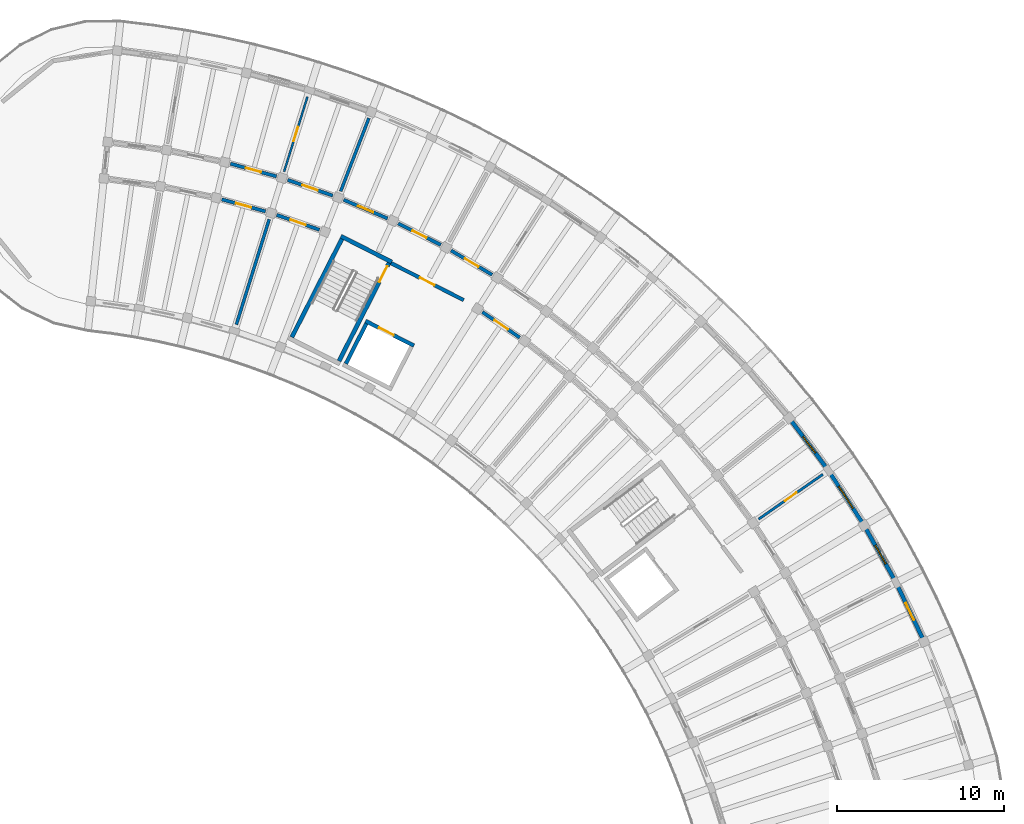
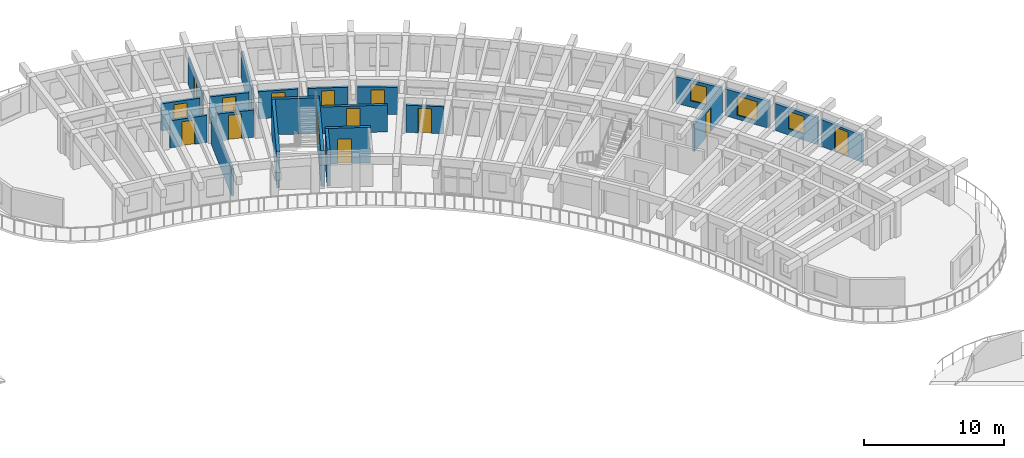
# One storey, part 58 of 81: 22 walls, 14 doors, 3 windows, 17 openings.
"""IFC4 building model written with IfcOpenShell, lengths in metres."""

import ifcopenshell
import ifcopenshell.guid

model = None  # the IFC model being written
_history = None  # IfcOwnerHistory: only IFC2X3 demands one
_inside = {}  # id of a spatial element -> (the spatial element, [elements in it])
_under = {}  # id of a project, library or spatial element -> (it, [spatial elements below it])
_declared = {}  # id of a project -> (the project, [libraries it declares])
_typed = {}  # id of a type object -> (the type object, [elements of that type])
_made_of = {}  # id of a material, layer set ... -> (it, [elements and type objects made of it])


def new_model(schema):
    """Start an empty IFC model of exactly this schema.

    Asked for "IFC4X3", IfcOpenShell would pick the latest addendum, in which some entities
    have other attributes; the version numbers below select the first issue.
    IFC2X3 requires an IfcOwnerHistory on every rooted entity: one is made here for all.
    """
    global model, _history
    if schema == "IFC4X3":
        model = ifcopenshell.file(schema_version=(4, 3, 0, 0))
    else:
        model = ifcopenshell.file(schema=schema)
    _inside.clear()
    _under.clear()
    _declared.clear()
    _typed.clear()
    _made_of.clear()
    _history = None
    if model.schema == "IFC2X3":
        org = make("IfcOrganization", Name="unknown")
        user = make(
            "IfcPersonAndOrganization",
            ThePerson=make("IfcPerson", FamilyName="unknown"),
            TheOrganization=org,
        )
        app = make(
            "IfcApplication",
            ApplicationDeveloper=org,
            Version="unknown",
            ApplicationFullName="unknown",
            ApplicationIdentifier="unknown",
        )
        _history = make(
            "IfcOwnerHistory",
            OwningUser=user,
            OwningApplication=app,
            ChangeAction="ADDED",
            CreationDate=0,
        )
    return model


def make(cls, **values):
    """One entity of the class cls with the attributes given. An attribute that is None is left unset."""
    return model.create_entity(
        cls, **{name: value for name, value in values.items() if value is not None}
    )


def rooted(cls, **values):
    """An entity with a GlobalId (a new one), such as an element, a storey or a relation."""
    return make(cls, GlobalId=ifcopenshell.guid.new(), OwnerHistory=_history, **values)


def si_unit(unit_type, name, prefix=None):
    """IfcSIUnit, for example si_unit("LENGTHUNIT", "METRE", prefix="MILLI")."""
    return make("IfcSIUnit", UnitType=unit_type, Prefix=prefix, Name=name)


def assignment(units):
    """IfcUnitAssignment: the units of a project."""
    return None if units is None else make("IfcUnitAssignment", Units=units)


def point(xyz):
    """IfcCartesianPoint."""
    return None if xyz is None else make("IfcCartesianPoint", Coordinates=xyz)


def direction(xyz):
    """IfcDirection."""
    return None if xyz is None else make("IfcDirection", DirectionRatios=xyz)


def frame(location, z_axis=None, x_axis=None):
    """IfcAxis2Placement3D, a coordinate frame: its origin and axes. An axis left out is left unset."""
    return make(
        "IfcAxis2Placement3D",
        Location=point(location),
        Axis=direction(z_axis),
        RefDirection=direction(x_axis),
    )


def frame_2d(location, x_axis=None):
    """IfcAxis2Placement2D, a coordinate frame in the plane: its origin and x axis."""
    return make(
        "IfcAxis2Placement2D", Location=point(location), RefDirection=direction(x_axis)
    )


def origin():
    """The frame at (0, 0, 0) with its axes left unset."""
    return frame((0.0, 0.0, 0.0))


def place(relative_to, where):
    """IfcLocalPlacement: puts the frame where relative to a parent placement (None: the world)."""
    return make(
        "IfcLocalPlacement", PlacementRelTo=relative_to, RelativePlacement=where
    )


def context(
    kind, dimensions, precision=None, world=None, true_north=None, identifier=None
):
    """IfcGeometricRepresentationContext, for example the 3D "Model" context."""
    return make(
        "IfcGeometricRepresentationContext",
        ContextIdentifier=identifier,
        ContextType=kind,
        CoordinateSpaceDimension=dimensions,
        Precision=precision,
        WorldCoordinateSystem=world,
        TrueNorth=true_north,
    )


def subcontext(parent, identifier, kind, view, scale=None):
    """IfcGeometricRepresentationSubContext, for example "Body" below "Model"."""
    return make(
        "IfcGeometricRepresentationSubContext",
        ContextIdentifier=identifier,
        ContextType=kind,
        ParentContext=parent,
        TargetScale=scale,
        TargetView=view,
    )


def project(units=None, contexts=None):
    """IfcProject with its units and contexts."""
    return rooted(
        "IfcProject",
        Name="project",
        RepresentationContexts=contexts,
        UnitsInContext=assignment(units),
    )


def spatial(cls, under=None, at=None, **own):
    """A site, building, storey or space (cls), placed at a placement, below another one or the project."""
    s = rooted(cls, ObjectPlacement=at, **own)
    if under is not None:
        _under.setdefault(under.id(), (under, []))[1].append(s)
    return s


def profile(cls, at=None, kind="AREA", **sizes):
    """A parametric profile (cls). Its sizes go by their IFC names, for example OverallWidth=200.0."""
    return make(cls, ProfileType=kind, Position=at, **sizes)


def rectangle(**sizes):
    """IfcRectangleProfileDef."""
    return profile("IfcRectangleProfileDef", **sizes)


def extrude(swept, where, along, depth):
    """IfcExtrudedAreaSolid: the profile swept, set in the frame where, extruded along a direction by depth."""
    return make(
        "IfcExtrudedAreaSolid",
        SweptArea=swept,
        Position=where,
        ExtrudedDirection=direction(along),
        Depth=depth,
    )


def shape(context_of_items, identifier, shape_type, items):
    """IfcShapeRepresentation: the items that make up one representation, for example the "Body"."""
    return make(
        "IfcShapeRepresentation",
        ContextOfItems=context_of_items,
        RepresentationIdentifier=identifier,
        RepresentationType=shape_type,
        Items=items,
    )


def material(Name=None, Category=None):
    """IfcMaterial."""
    return make("IfcMaterial", Name=Name, Category=Category)


def layer(
    of_material, thickness, ventilated=None, Name=None, Category=None, Priority=None
):
    """IfcMaterialLayer: one layer of a wall or slab, of a material (None: an air gap)."""
    return make(
        "IfcMaterialLayer",
        Material=of_material,
        LayerThickness=thickness,
        IsVentilated=ventilated,
        Name=Name,
        Category=Category,
        Priority=Priority,
    )


def layer_set(layers, Name=None):
    """IfcMaterialLayerSet."""
    return make("IfcMaterialLayerSet", MaterialLayers=layers, LayerSetName=Name)


def made_of(thing, what):
    """Note that an element or type object is made of a material, layer set ...; save() writes the relation."""
    if what is not None:
        _made_of.setdefault(what.id(), (what, []))[1].append(thing)
    return thing


def type_object(cls, material=None, **own):
    """A type object (cls), such as IfcWallType, which elements share."""
    return made_of(rooted(cls, **own), material)


def element(
    cls,
    number,
    at=None,
    inside=None,
    cuts=None,
    type_object=None,
    material=None,
    context=None,
    identifier="Body",
    shape_type=None,
    held_by="IfcProductDefinitionShape",
    body=None,
    shapes=None,
    **own,
):
    """One element of the class cls, such as IfcWall. Its Tag is "e" and its number.

    at: its placement. inside: the storey or other place that contains it. cuts: it is an
    opening in that element (IfcRelVoidsElement). A single representation is given by context,
    identifier, shape_type and body (its items); several are given by shapes. held_by: the class
    of the entity that holds the representations. save() writes the other relations.
    """
    e = rooted(cls, Tag="e%d" % number, ObjectPlacement=at, **own)
    if body is not None:
        shapes = [shape(context, identifier, shape_type, body)]
    if shapes is not None:
        e.Representation = make(held_by, Representations=shapes)
    if inside is not None:
        _inside.setdefault(inside.id(), (inside, []))[1].append(e)
    if cuts is not None:
        rooted(
            "IfcRelVoidsElement", RelatingBuildingElement=cuts, RelatedOpeningElement=e
        )
    if type_object is not None:
        _typed.setdefault(type_object.id(), (type_object, []))[1].append(e)
    return made_of(e, material)


def fill(opening, filler):
    """IfcRelFillsElement: the door or window that sits in an opening."""
    return rooted(
        "IfcRelFillsElement",
        RelatingOpeningElement=opening,
        RelatedBuildingElement=filler,
    )


def aggregate(whole, parts):
    """IfcRelAggregates: a whole, such as a stair, and the parts it consists of."""
    return rooted("IfcRelAggregates", RelatingObject=whole, RelatedObjects=parts)


def save(model, path):
    """Write the relations noted so far, then the file.

    IfcRelAggregates (storeys below a building ...), IfcRelContainedInSpatialStructure (elements
    in a storey), IfcRelDefinesByType, IfcRelAssociatesMaterial and IfcRelDeclares: one each for
    every whole, place, type object, material and project.
    """
    for whole, parts in _under.values():
        aggregate(whole, parts)
    for where, things in _inside.values():
        rooted(
            "IfcRelContainedInSpatialStructure",
            RelatedElements=things,
            RelatingStructure=where,
        )
    for kind, things in _typed.values():
        rooted("IfcRelDefinesByType", RelatedObjects=things, RelatingType=kind)
    for what, things in _made_of.values():
        rooted("IfcRelAssociatesMaterial", RelatedObjects=things, RelatingMaterial=what)
    for by, libraries in _declared.values():
        rooted("IfcRelDeclares", RelatingContext=by, RelatedDefinitions=libraries)
    model.write(path)


model = new_model("IFC4")

# Units and contexts
model_context = context("Model", 3, precision=1e-05, world=origin(), true_north=direction((0.0, 1.0)))
body_context = subcontext(model_context, "Body", "Model", "MODEL_VIEW")
ifc_project = project(units=[si_unit("LENGTHUNIT", "METRE"), si_unit("AREAUNIT", "SQUARE_METRE"), si_unit("VOLUMEUNIT", "CUBIC_METRE"), si_unit("PLANEANGLEUNIT", "RADIAN"), si_unit("MASSUNIT", "GRAM", prefix="KILO")], contexts=[model_context])

# Site, building, storey
site_placement = place(None, origin())
site = spatial("IfcSite", under=ifc_project, at=site_placement, CompositionType="ELEMENT")
building_placement = place(site_placement, origin())
building = spatial("IfcBuilding", under=site, at=building_placement, Name="Tanwirah Colonnade Gardens", CompositionType="ELEMENT")
storey_placement = place(building_placement, frame((0.0, 0.0, 8.840087890625)))
storey = spatial("IfcBuildingStorey", under=building, at=storey_placement, Name="L02", CompositionType="ELEMENT", Elevation=8.840087890625)

# Wall, opening, door
ifc_material_1 = material(Name="Limestone architectural precast concrete C40/50", Category="masonry")
ifc_layer_1 = layer(ifc_material_1, 0.239990234375)
ifc_layer_set_1 = layer_set([ifc_layer_1], Name="Limestone architectural precast concrete C40/50")
wall_type_1 = type_object("IfcWallType", Name="EW-PC240", PredefinedType="SOLIDWALL", material=ifc_layer_set_1)
wall_1_placement = place(storey_placement, frame((175.482666015625, 84.2197265625, 0.0), z_axis=(0.0, 0.0, 1.0), x_axis=(-0.429653621352, 0.902993779413, 0.0)))
wall_1 = element("IfcWall", 1, at=wall_1_placement, inside=storey, type_object=wall_type_1, Name="Block B L02 OUT Precast Facade Wall 2", PredefinedType="SOLIDWALL", context=body_context, shape_type="SweptSolid", body=[
    extrude(rectangle(XDim=3.520751953125, YDim=0.239990234375, at=frame_2d((1.76025390625, 0.0))), origin(), (0.0, 0.0, 1.0), 2.35498046875),
])
opening_1_placement = place(wall_1_placement, frame((1.1904296875, 0.0, 0.0)))
opening_1 = element("IfcOpeningElement", 2, at=opening_1_placement, cuts=wall_1, Name="Opening L02-ED075", PredefinedType="OPENING", context=body_context, shape_type="SweptSolid", body=[
    extrude(rectangle(XDim=1.139892578125, YDim=2.159912109375, at=frame_2d((0.56982421875, 1.080078125))), frame((0.0, 0.1298828125, 0.0), z_axis=(0.0, -1.0, 0.0), x_axis=(1.0, 0.0, 0.0)), (0.0, 0.0, 1.0), 0.260009765625),
])
ifc_material_2 = material(Name="Bronze aluminium glazed balcony door", Category="aluminium")
door_type_1 = type_object("IfcDoorType", Name="ED-BAL114", OperationType="NOTDEFINED", PredefinedType="DOOR", material=ifc_material_2)
door_1_placement = place(opening_1_placement, origin())
door_1 = element("IfcDoor", 3, at=door_1_placement, inside=storey, type_object=door_type_1, Name="Balcony glazed door L02-ED075", OperationType="SINGLE_SWING_LEFT", OverallHeight=2.159912109375, OverallWidth=1.139892578125, PredefinedType="DOOR", context=body_context, shape_type="SweptSolid", body=[
    extrude(rectangle(XDim=1.139892578125, YDim=2.159912109375, at=frame_2d((0.56982421875, 1.080078125))), frame((0.0, 0.02490234375, 0.0), z_axis=(0.0, -1.0, 0.0), x_axis=(1.0, 0.0, 0.0)), (0.0, 0.0, 1.0), 0.050048828125),
])
fill(opening_1, door_1)

# Wall, opening, window
wall_2_placement = place(storey_placement, frame((173.8232421875, 87.68310546875, 0.0), z_axis=(0.0, 0.0, 1.0), x_axis=(-0.488254917997, 0.872701057093, 0.0)))
wall_2 = element("IfcWall", 4, at=wall_2_placement, inside=storey, type_object=wall_type_1, Name="Block B L02 OUT Precast Facade Wall 3", PredefinedType="SOLIDWALL", context=body_context, shape_type="SweptSolid", body=[
    extrude(rectangle(XDim=3.520751953125, YDim=0.239990234375, at=frame_2d((1.76025390625, 0.0))), origin(), (0.0, 0.0, 1.0), 2.35498046875),
])
opening_2_placement = place(wall_2_placement, frame((1.120361328125, 0.0, 0.550048828125)))
opening_2 = element("IfcOpeningElement", 5, at=opening_2_placement, cuts=wall_2, Name="Opening WIN-T17", PredefinedType="OPENING", context=body_context, shape_type="SweptSolid", body=[
    extrude(rectangle(XDim=1.280029296875, YDim=1.52001953125, at=frame_2d((0.64013671875, 0.760009765625))), frame((0.0, 0.1298828125, 0.0), z_axis=(0.0, -1.0, 0.0), x_axis=(1.0, 0.0, 0.0)), (0.0, 0.0, 1.0), 0.260009765625),
])
ifc_material_3 = material(Name="Thermally broken bronze aluminium and solar low-E double glazing", Category="aluminium")
window_type_1 = type_object("IfcWindowType", Name="WIN-T17", PartitioningType="SINGLE_PANEL", PredefinedType="WINDOW", material=ifc_material_3)
window_1_placement = place(opening_2_placement, origin())
window_1 = element("IfcWindow", 6, at=window_1_placement, inside=storey, type_object=window_type_1, Name="Facade window B-L02-OUT-03", OverallHeight=1.52001953125, OverallWidth=1.280029296875, PartitioningType="SINGLE_PANEL", PredefinedType="WINDOW", context=body_context, shape_type="SweptSolid", body=[
    extrude(rectangle(XDim=1.280029296875, YDim=1.52001953125, at=frame_2d((0.64013671875, 0.760009765625))), frame((0.0, 0.030029296875, 0.0), z_axis=(0.0, -1.0, 0.0), x_axis=(1.0, 0.0, 0.0)), (0.0, 0.0, 1.0), 0.06005859375),
])
fill(opening_2, window_1)

wall_3_placement = place(storey_placement, frame((171.851318359375, 91.1748046875, 0.0), z_axis=(0.0, 0.0, 1.0), x_axis=(-0.544610510414, 0.838689091349, 0.0)))
wall_3 = element("IfcWall", 7, at=wall_3_placement, inside=storey, type_object=wall_type_1, Name="Block B L02 OUT Precast Facade Wall 4", PredefinedType="SOLIDWALL", context=body_context, shape_type="SweptSolid", body=[
    extrude(rectangle(XDim=3.520751953125, YDim=0.239990234375, at=frame_2d((1.76025390625, 0.0))), origin(), (0.0, 0.0, 1.0), 2.35498046875),
])
opening_3_placement = place(wall_3_placement, frame((0.970458984375, 0.0, 0.35009765625)))
opening_3 = element("IfcOpeningElement", 8, at=opening_3_placement, cuts=wall_3, Name="Opening WIN-T20", PredefinedType="OPENING", context=body_context, shape_type="SweptSolid", body=[
    extrude(rectangle(XDim=1.580078125, YDim=1.679931640625, at=frame_2d((0.7900390625, 0.83984375))), frame((0.0, 0.1298828125, 0.0), z_axis=(0.0, -1.0, 0.0), x_axis=(1.0, 0.0, 0.0)), (0.0, 0.0, 1.0), 0.260009765625),
])
window_type_2 = type_object("IfcWindowType", Name="WIN-T20", PartitioningType="DOUBLE_PANEL_VERTICAL", PredefinedType="WINDOW", material=ifc_material_3)
window_2_placement = place(opening_3_placement, origin())
window_2 = element("IfcWindow", 9, at=window_2_placement, inside=storey, type_object=window_type_2, Name="Facade window B-L02-OUT-04", OverallHeight=1.679931640625, OverallWidth=1.580078125, PartitioningType="SINGLE_PANEL", PredefinedType="WINDOW", context=body_context, shape_type="SweptSolid", body=[
    extrude(rectangle(XDim=1.580078125, YDim=1.679931640625, at=frame_2d((0.7900390625, 0.83984375))), frame((0.0, 0.030029296875, 0.0), z_axis=(0.0, -1.0, 0.0), x_axis=(1.0, 0.0, 0.0)), (0.0, 0.0, 1.0), 0.06005859375),
])
fill(opening_3, window_2)

wall_4_placement = place(storey_placement, frame((169.7509765625, 94.389892578125, 0.0), z_axis=(0.0, 0.0, 1.0), x_axis=(-0.598701122926, 0.800972512267, 0.0)))
wall_4 = element("IfcWall", 10, at=wall_4_placement, inside=storey, type_object=wall_type_1, Name="Block B L02 OUT Precast Facade Wall 5", PredefinedType="SOLIDWALL", context=body_context, shape_type="SweptSolid", body=[
    extrude(rectangle(XDim=3.520751953125, YDim=0.239990234375, at=frame_2d((1.76025390625, 0.0))), origin(), (0.0, 0.0, 1.0), 2.35498046875),
])
opening_4_placement = place(wall_4_placement, frame((1.140380859375, 0.0, 0.550048828125)))
opening_4 = element("IfcOpeningElement", 11, at=opening_4_placement, cuts=wall_4, Name="Opening WIN-U03", PredefinedType="OPENING", context=body_context, shape_type="SweptSolid", body=[
    extrude(rectangle(XDim=1.239990234375, YDim=1.534912109375, at=frame_2d((0.6201171875, 0.767578125))), frame((0.0, 0.1298828125, 0.0), z_axis=(0.0, -1.0, 0.0), x_axis=(1.0, 0.0, 0.0)), (0.0, 0.0, 1.0), 0.260009765625),
])
window_type_3 = type_object("IfcWindowType", Name="WIN-U03", PartitioningType="DOUBLE_PANEL_VERTICAL", PredefinedType="WINDOW", material=ifc_material_3)
window_3_placement = place(opening_4_placement, origin())
window_3 = element("IfcWindow", 12, at=window_3_placement, inside=storey, type_object=window_type_3, Name="Facade window B-L02-OUT-05", OverallHeight=1.534912109375, OverallWidth=1.239990234375, PartitioningType="SINGLE_PANEL", PredefinedType="WINDOW", context=body_context, shape_type="SweptSolid", body=[
    extrude(rectangle(XDim=1.239990234375, YDim=1.534912109375, at=frame_2d((0.6201171875, 0.767578125))), frame((0.0, 0.030029296875, 0.0), z_axis=(0.0, -1.0, 0.0), x_axis=(1.0, 0.0, 0.0)), (0.0, 0.0, 1.0), 0.06005859375),
])
fill(opening_4, window_3)

# Wall, opening, door
ifc_material_4 = material(Name="Precast concrete C40/50", Category="concrete")
ifc_layer_2 = layer(ifc_material_4, 0.205078125)
ifc_layer_set_2 = layer_set([ifc_layer_2], Name="Precast concrete C40/50")
wall_type_2 = type_object("IfcWallType", Name="IW-CORR205", PredefinedType="PARTITIONING", material=ifc_layer_set_2)
wall_5_placement = place(storey_placement, frame((151.35009765625, 102.226318359375, 0.0), z_axis=(0.0, 0.0, 1.0), x_axis=(-0.825752009056, 0.56403334967, 0.0)))
wall_5 = element("IfcWall", 13, at=wall_5_placement, inside=storey, type_object=wall_type_2, Name="Block B L02 IN Corridor Wall 10", PredefinedType="PARTITIONING", context=body_context, shape_type="SweptSolid", body=[
    extrude(rectangle(XDim=2.71826171875, YDim=0.205078125, at=frame_2d((1.359130859375, 0.0))), origin(), (0.0, 0.0, 1.0), 2.369873046875),
])
opening_5_placement = place(wall_5_placement, frame((0.8740234375, 0.0, 0.0)))
opening_5 = element("IfcOpeningElement", 14, at=opening_5_placement, cuts=wall_5, Name="Opening L02-AD900", PredefinedType="OPENING", context=body_context, shape_type="SweptSolid", body=[
    extrude(rectangle(XDim=0.969970703125, YDim=2.14990234375, at=frame_2d((0.48486328125, 1.074951171875))), frame((0.0, 0.112548828125, 0.0), z_axis=(0.0, -1.0, 0.0), x_axis=(1.0, 0.0, 0.0)), (0.0, 0.0, 1.0), 0.22509765625),
])
ifc_material_5 = material(Name="Solid oak fire-resisting apartment entrance door")
door_type_2 = type_object("IfcDoorType", Name="ID-FLT097", OperationType="NOTDEFINED", PredefinedType="DOOR", material=ifc_material_5)
door_2_placement = place(opening_5_placement, origin())
door_2 = element("IfcDoor", 15, at=door_2_placement, inside=storey, type_object=door_type_2, Name="Apartment corridor door L02-AD900", OperationType="SINGLE_SWING_RIGHT", OverallHeight=2.14990234375, OverallWidth=0.969970703125, PredefinedType="DOOR", context=body_context, shape_type="SweptSolid", body=[
    extrude(rectangle(XDim=0.969970703125, YDim=2.14990234375, at=frame_2d((0.48486328125, 1.074951171875))), frame((0.0, 0.02490234375, 0.0), z_axis=(0.0, -1.0, 0.0), x_axis=(1.0, 0.0, 0.0)), (0.0, 0.0, 1.0), 0.050048828125),
])
fill(opening_5, door_2)

wall_6_placement = place(storey_placement, frame((149.6953125, 105.991455078125, 0.0), z_axis=(0.0, 0.0, 1.0), x_axis=(-0.861113214678, 0.508413248753, 0.0)))
wall_6 = element("IfcWall", 16, at=wall_6_placement, inside=storey, type_object=wall_type_2, Name="Block B L02 OUT Corridor Wall 11", PredefinedType="PARTITIONING", context=body_context, shape_type="SweptSolid", body=[
    extrude(rectangle(XDim=2.863037109375, YDim=0.205078125, at=frame_2d((1.431640625, 0.0))), origin(), (0.0, 0.0, 1.0), 2.369873046875),
])
opening_6_placement = place(wall_6_placement, frame((0.95654296875, 0.0, 0.0)))
opening_6 = element("IfcOpeningElement", 17, at=opening_6_placement, cuts=wall_6, Name="Opening L02-AD902", PredefinedType="OPENING", context=body_context, shape_type="SweptSolid", body=[
    extrude(rectangle(XDim=0.949951171875, YDim=2.1298828125, at=frame_2d((0.47509765625, 1.06494140625))), frame((0.0, 0.112548828125, 0.0), z_axis=(0.0, -1.0, 0.0), x_axis=(1.0, 0.0, 0.0)), (0.0, 0.0, 1.0), 0.22509765625),
])
door_type_3 = type_object("IfcDoorType", Name="ID-FLT095", OperationType="NOTDEFINED", PredefinedType="DOOR", material=ifc_material_5)
door_3_placement = place(opening_6_placement, origin())
door_3 = element("IfcDoor", 18, at=door_3_placement, inside=storey, type_object=door_type_3, Name="Apartment corridor door L02-AD902", OperationType="SINGLE_SWING_RIGHT", OverallHeight=2.1298828125, OverallWidth=0.949951171875, PredefinedType="DOOR", context=body_context, shape_type="SweptSolid", body=[
    extrude(rectangle(XDim=0.949951171875, YDim=2.1298828125, at=frame_2d((0.47509765625, 1.06494140625))), frame((0.0, 0.02490234375, 0.0), z_axis=(0.0, -1.0, 0.0), x_axis=(1.0, 0.0, 0.0)), (0.0, 0.0, 1.0), 0.050048828125),
])
fill(opening_6, door_3)

wall_7_placement = place(storey_placement, frame((146.615966796875, 107.782470703125, 0.0), z_axis=(0.0, 0.0, 1.0), x_axis=(-0.89273239336, 0.450587254419, 0.0)))
wall_7 = element("IfcWall", 19, at=wall_7_placement, inside=storey, type_object=wall_type_2, Name="Block B L02 OUT Corridor Wall 12", PredefinedType="PARTITIONING", context=body_context, shape_type="SweptSolid", body=[
    extrude(rectangle(XDim=2.863037109375, YDim=0.205078125, at=frame_2d((1.431640625, 0.0))), origin(), (0.0, 0.0, 1.0), 2.369873046875),
])
opening_7_placement = place(wall_7_placement, frame((0.966552734375, 0.0, 0.0)))
opening_7 = element("IfcOpeningElement", 20, at=opening_7_placement, cuts=wall_7, Name="Opening L02-AD903", PredefinedType="OPENING", context=body_context, shape_type="SweptSolid", body=[
    extrude(rectangle(XDim=0.929931640625, YDim=2.1201171875, at=frame_2d((0.46484375, 1.06005859375))), frame((0.0, 0.112548828125, 0.0), z_axis=(0.0, -1.0, 0.0), x_axis=(1.0, 0.0, 0.0)), (0.0, 0.0, 1.0), 0.22509765625),
])
door_type_4 = type_object("IfcDoorType", Name="ID-FLT093", OperationType="NOTDEFINED", PredefinedType="DOOR", material=ifc_material_5)
door_4_placement = place(opening_7_placement, origin())
door_4 = element("IfcDoor", 21, at=door_4_placement, inside=storey, type_object=door_type_4, Name="Apartment corridor door L02-AD903", OperationType="SINGLE_SWING_LEFT", OverallHeight=2.1201171875, OverallWidth=0.929931640625, PredefinedType="DOOR", context=body_context, shape_type="SweptSolid", body=[
    extrude(rectangle(XDim=0.929931640625, YDim=2.1201171875, at=frame_2d((0.46484375, 1.06005859375))), frame((0.0, 0.02490234375, 0.0), z_axis=(0.0, -1.0, 0.0), x_axis=(1.0, 0.0, 0.0)), (0.0, 0.0, 1.0), 0.050048828125),
])
fill(opening_7, door_4)

wall_8_placement = place(storey_placement, frame((143.42529296875, 109.366943359375, 0.0), z_axis=(0.0, 0.0, 1.0), x_axis=(-0.920511160294, 0.390716270168, 0.0)))
wall_8 = element("IfcWall", 22, at=wall_8_placement, inside=storey, type_object=wall_type_2, Name="Block B L02 OUT Corridor Wall 13", PredefinedType="PARTITIONING", context=body_context, shape_type="SweptSolid", body=[
    extrude(rectangle(XDim=2.863037109375, YDim=0.205078125, at=frame_2d((1.431640625, 0.0))), origin(), (0.0, 0.0, 1.0), 2.369873046875),
])
opening_8_placement = place(wall_8_placement, frame((0.9365234375, 0.0, 0.0)))
opening_8 = element("IfcOpeningElement", 23, at=opening_8_placement, cuts=wall_8, Name="Opening L02-AD904", PredefinedType="OPENING", context=body_context, shape_type="SweptSolid", body=[
    extrude(rectangle(XDim=0.989990234375, YDim=2.159912109375, at=frame_2d((0.4951171875, 1.080078125))), frame((0.0, 0.112548828125, 0.0), z_axis=(0.0, -1.0, 0.0), x_axis=(1.0, 0.0, 0.0)), (0.0, 0.0, 1.0), 0.22509765625),
])
door_type_5 = type_object("IfcDoorType", Name="ID-FLT099", OperationType="NOTDEFINED", PredefinedType="DOOR", material=ifc_material_5)
door_5_placement = place(opening_8_placement, origin())
door_5 = element("IfcDoor", 24, at=door_5_placement, inside=storey, type_object=door_type_5, Name="Apartment corridor door L02-AD904", OperationType="SINGLE_SWING_RIGHT", OverallHeight=2.159912109375, OverallWidth=0.989990234375, PredefinedType="DOOR", context=body_context, shape_type="SweptSolid", body=[
    extrude(rectangle(XDim=0.989990234375, YDim=2.159912109375, at=frame_2d((0.4951171875, 1.080078125))), frame((0.0, 0.02490234375, 0.0), z_axis=(0.0, -1.0, 0.0), x_axis=(1.0, 0.0, 0.0)), (0.0, 0.0, 1.0), 0.050048828125),
])
fill(opening_8, door_5)

wall_9_placement = place(storey_placement, frame((140.13720703125, 110.737548828125, 0.0), z_axis=(0.0, 0.0, 1.0), x_axis=(-0.944253820929, 0.329218349522, 0.0)))
wall_9 = element("IfcWall", 25, at=wall_9_placement, inside=storey, type_object=wall_type_2, Name="Block B L02 OUT Corridor Wall 14", PredefinedType="PARTITIONING", context=body_context, shape_type="SweptSolid", body=[
    extrude(rectangle(XDim=2.86328125, YDim=0.205078125, at=frame_2d((1.431640625, 0.0))), origin(), (0.0, 0.0, 1.0), 2.369873046875),
])
opening_9_placement = place(wall_9_placement, frame((0.946533203125, 0.0, 0.0)))
opening_9 = element("IfcOpeningElement", 26, at=opening_9_placement, cuts=wall_9, Name="Opening L02-AD905", PredefinedType="OPENING", context=body_context, shape_type="SweptSolid", body=[
    extrude(rectangle(XDim=0.969970703125, YDim=2.14990234375, at=frame_2d((0.48486328125, 1.074951171875))), frame((0.0, 0.112548828125, 0.0), z_axis=(0.0, -1.0, 0.0), x_axis=(1.0, 0.0, 0.0)), (0.0, 0.0, 1.0), 0.22509765625),
])
door_6_placement = place(opening_9_placement, origin())
door_6 = element("IfcDoor", 27, at=door_6_placement, inside=storey, type_object=door_type_2, Name="Apartment corridor door L02-AD905", OperationType="SINGLE_SWING_LEFT", OverallHeight=2.14990234375, OverallWidth=0.969970703125, PredefinedType="DOOR", context=body_context, shape_type="SweptSolid", body=[
    extrude(rectangle(XDim=0.969970703125, YDim=2.14990234375, at=frame_2d((0.48486328125, 1.074951171875))), frame((0.0, 0.02490234375, 0.0), z_axis=(0.0, -1.0, 0.0), x_axis=(1.0, 0.0, 0.0)), (0.0, 0.0, 1.0), 0.050048828125),
])
fill(opening_9, door_6)

wall_10_placement = place(storey_placement, frame((139.3447265625, 108.685302734375, 0.0), z_axis=(0.0, 0.0, 1.0), x_axis=(-0.944265123647, 0.329185929627, 0.0)))
wall_10 = element("IfcWall", 28, at=wall_10_placement, inside=storey, type_object=wall_type_2, Name="Block B L02 IN Corridor Wall 14", PredefinedType="PARTITIONING", context=body_context, shape_type="SweptSolid", body=[
    extrude(rectangle(XDim=2.71826171875, YDim=0.205078125, at=frame_2d((1.359130859375, 0.0))), origin(), (0.0, 0.0, 1.0), 2.369873046875),
])
opening_10_placement = place(wall_10_placement, frame((0.8740234375, 0.0, 0.0)))
opening_10 = element("IfcOpeningElement", 29, at=opening_10_placement, cuts=wall_10, Name="Opening L02-AD906", PredefinedType="OPENING", context=body_context, shape_type="SweptSolid", body=[
    extrude(rectangle(XDim=0.969970703125, YDim=2.14990234375, at=frame_2d((0.48486328125, 1.074951171875))), frame((0.0, 0.112548828125, 0.0), z_axis=(0.0, -1.0, 0.0), x_axis=(1.0, 0.0, 0.0)), (0.0, 0.0, 1.0), 0.22509765625),
])
door_7_placement = place(opening_10_placement, origin())
door_7 = element("IfcDoor", 30, at=door_7_placement, inside=storey, type_object=door_type_2, Name="Apartment corridor door L02-AD906", OperationType="SINGLE_SWING_RIGHT", OverallHeight=2.14990234375, OverallWidth=0.969970703125, PredefinedType="DOOR", context=body_context, shape_type="SweptSolid", body=[
    extrude(rectangle(XDim=0.969970703125, YDim=2.14990234375, at=frame_2d((0.48486328125, 1.074951171875))), frame((0.0, 0.02490234375, 0.0), z_axis=(0.0, -1.0, 0.0), x_axis=(1.0, 0.0, 0.0)), (0.0, 0.0, 1.0), 0.050048828125),
])
fill(opening_10, door_7)

wall_11_placement = place(storey_placement, frame((136.765869140625, 111.888671875, 0.0), z_axis=(0.0, 0.0, 1.0), x_axis=(-0.963890789093, 0.266297853356, 0.0)))
wall_11 = element("IfcWall", 31, at=wall_11_placement, inside=storey, type_object=wall_type_2, Name="Block B L02 OUT Corridor Wall 15", PredefinedType="PARTITIONING", context=body_context, shape_type="SweptSolid", body=[
    extrude(rectangle(XDim=2.863037109375, YDim=0.205078125, at=frame_2d((1.431640625, 0.0))), origin(), (0.0, 0.0, 1.0), 2.369873046875),
])
opening_11_placement = place(wall_11_placement, frame((0.95654296875, 0.0, 0.0)))
opening_11 = element("IfcOpeningElement", 32, at=opening_11_placement, cuts=wall_11, Name="Opening L02-AD908", PredefinedType="OPENING", context=body_context, shape_type="SweptSolid", body=[
    extrude(rectangle(XDim=0.949951171875, YDim=2.1298828125, at=frame_2d((0.47509765625, 1.06494140625))), frame((0.0, 0.112548828125, 0.0), z_axis=(0.0, -1.0, 0.0), x_axis=(1.0, 0.0, 0.0)), (0.0, 0.0, 1.0), 0.22509765625),
])
door_8_placement = place(opening_11_placement, origin())
door_8 = element("IfcDoor", 33, at=door_8_placement, inside=storey, type_object=door_type_3, Name="Apartment corridor door L02-AD908", OperationType="SINGLE_SWING_RIGHT", OverallHeight=2.1298828125, OverallWidth=0.949951171875, PredefinedType="DOOR", context=body_context, shape_type="SweptSolid", body=[
    extrude(rectangle(XDim=0.949951171875, YDim=2.1298828125, at=frame_2d((0.47509765625, 1.06494140625))), frame((0.0, 0.02490234375, 0.0), z_axis=(0.0, -1.0, 0.0), x_axis=(1.0, 0.0, 0.0)), (0.0, 0.0, 1.0), 0.050048828125),
])
fill(opening_11, door_8)

wall_12_placement = place(storey_placement, frame((136.1103515625, 109.78857421875, 0.0), z_axis=(0.0, 0.0, 1.0), x_axis=(-0.96388375821, 0.266323301006, 0.0)))
wall_12 = element("IfcWall", 34, at=wall_12_placement, inside=storey, type_object=wall_type_2, Name="Block B L02 IN Corridor Wall 15", PredefinedType="PARTITIONING", context=body_context, shape_type="SweptSolid", body=[
    extrude(rectangle(XDim=2.718017578125, YDim=0.205078125, at=frame_2d((1.35888671875, 0.0))), origin(), (0.0, 0.0, 1.0), 2.369873046875),
])
opening_12_placement = place(wall_12_placement, frame((0.884033203125, 0.0, 0.0)))
opening_12 = element("IfcOpeningElement", 35, at=opening_12_placement, cuts=wall_12, Name="Opening L02-AD909", PredefinedType="OPENING", context=body_context, shape_type="SweptSolid", body=[
    extrude(rectangle(XDim=0.949951171875, YDim=2.1298828125, at=frame_2d((0.47509765625, 1.06494140625))), frame((0.0, 0.112548828125, 0.0), z_axis=(0.0, -1.0, 0.0), x_axis=(1.0, 0.0, 0.0)), (0.0, 0.0, 1.0), 0.22509765625),
])
door_9_placement = place(opening_12_placement, origin())
door_9 = element("IfcDoor", 36, at=door_9_placement, inside=storey, type_object=door_type_3, Name="Apartment corridor door L02-AD909", OperationType="SINGLE_SWING_LEFT", OverallHeight=2.1298828125, OverallWidth=0.949951171875, PredefinedType="DOOR", context=body_context, shape_type="SweptSolid", body=[
    extrude(rectangle(XDim=0.949951171875, YDim=2.1298828125, at=frame_2d((0.47509765625, 1.06494140625))), frame((0.0, 0.02490234375, 0.0), z_axis=(0.0, -1.0, 0.0), x_axis=(1.0, 0.0, 0.0)), (0.0, 0.0, 1.0), 0.050048828125),
])
fill(opening_12, door_9)

# Walls
ifc_layer_3 = layer(ifc_material_4, 0.18505859375)
ifc_layer_set_3 = layer_set([ifc_layer_3], Name="Precast concrete C40/50")
wall_type_3 = type_object("IfcWallType", Name="IW-DEM185", PredefinedType="PARTITIONING", material=ifc_layer_set_3)
wall_13_placement = place(storey_placement, frame((140.611572265625, 110.99560546875, 0.0), z_axis=(0.0, 0.0, 1.0), x_axis=(0.360186633854, 0.932880264982, 0.0)))
element("IfcWall", 37, at=wall_13_placement, inside=storey, type_object=wall_type_3, Name="Block B L02 Radial Partition 13", PredefinedType="PARTITIONING", context=body_context, shape_type="SweptSolid", body=[
    extrude(rectangle(XDim=4.699951171875, YDim=0.18505859375, at=frame_2d((2.35009765625, 0.0))), origin(), (0.0, 0.0, 1.0), 2.369873046875),
])
wall_14_placement = place(storey_placement, frame((134.362060546875, 103.01318359375, 0.0), z_axis=(0.0, 0.0, 1.0), x_axis=(0.2979590431, 0.954578655028, 0.0)))
element("IfcWall", 38, at=wall_14_placement, inside=storey, type_object=wall_type_3, Name="Block B L02 Inner Radial Partition 14", PredefinedType="PARTITIONING", context=body_context, shape_type="SweptSolid", body=[
    extrude(rectangle(XDim=6.60009765625, YDim=0.18505859375, at=frame_2d((3.300048828125, 0.0))), origin(), (0.0, 0.0, 1.0), 2.369873046875),
])

# Wall, opening, door
ifc_material_6 = material(Name="Autoclaved aerated masonry blockwork", Category="masonry")
ifc_layer_4 = layer(ifc_material_6, 0.219970703125)
ifc_layer_set_4 = layer_set([ifc_layer_4], Name="Autoclaved aerated masonry blockwork")
wall_type_4 = type_object("IfcWallType", Name="IW-FFL220", PredefinedType="PARTITIONING", material=ifc_layer_set_4)
wall_15_placement = place(storey_placement, frame((143.624755859375, 106.6962890625, 0.0), z_axis=(0.0, 0.0, 1.0), x_axis=(0.891003372311, -0.453996685595, 0.0)))
wall_15 = element("IfcWall", 39, at=wall_15_placement, inside=storey, type_object=wall_type_4, Name="CORE-B2 L02 Enclosed Lobby Fire Wall", PredefinedType="PARTITIONING", context=body_context, shape_type="SweptSolid", body=[
    extrude(rectangle(XDim=4.900146484375, YDim=0.219970703125, at=frame_2d((2.4501953125, 0.0))), origin(), (0.0, 0.0, 1.0), 2.33984375),
])
opening_13_placement = place(wall_15_placement, frame((1.949951171875, 0.0, 0.0)))
opening_13 = element("IfcOpeningElement", 40, at=opening_13_placement, cuts=wall_15, Name="Opening L02-LD110", PredefinedType="OPENING", context=body_context, shape_type="SweptSolid", body=[
    extrude(rectangle(XDim=0.97998046875, YDim=2.139892578125, at=frame_2d((0.489990234375, 1.06982421875))), frame((0.0, 0.119873046875, 0.0), z_axis=(0.0, -1.0, 0.0), x_axis=(1.0, 0.0, 0.0)), (0.0, 0.0, 1.0), 0.239990234375),
])
ifc_material_7 = material(Name="Acoustic fire-resisting lobby door")
door_type_6 = type_object("IfcDoorType", Name="ID-FFL098", OperationType="NOTDEFINED", PredefinedType="DOOR", material=ifc_material_7)
door_10_placement = place(opening_13_placement, origin())
door_10 = element("IfcDoor", 41, at=door_10_placement, inside=storey, type_object=door_type_6, Name="CORE-B2 L02 Lobby Fire Door L02-LD110", OperationType="SINGLE_SWING_LEFT", OverallHeight=2.139892578125, OverallWidth=0.97998046875, PredefinedType="DOOR", context=body_context, shape_type="SweptSolid", body=[
    extrude(rectangle(XDim=0.97998046875, YDim=2.139892578125, at=frame_2d((0.489990234375, 1.06982421875))), frame((0.0, 0.02490234375, 0.0), z_axis=(0.0, -1.0, 0.0), x_axis=(1.0, 0.0, 0.0)), (0.0, 0.0, 1.0), 0.050048828125),
])
fill(opening_13, door_10)

ifc_material_8 = material(Name="Moisture-resistant gypsum stud partition")
ifc_layer_5 = layer(ifc_material_8, 0.125)
ifc_layer_set_5 = layer_set([ifc_layer_5], Name="Moisture-resistant gypsum stud partition")
wall_type_5 = type_object("IfcWallType", Name="IW-INT125", PredefinedType="PARTITIONING", material=ifc_layer_set_5)
wall_16_placement = place(storey_placement, frame((137.222412109375, 112.17724609375, 0.0), z_axis=(0.0, 0.0, 1.0), x_axis=(0.297905254614, 0.954595442726, 0.0)))
wall_16 = element("IfcWall", 42, at=wall_16_placement, inside=storey, type_object=wall_type_5, Name="Block B L02 Radial Partition 14", PredefinedType="PARTITIONING", context=body_context, shape_type="SweptSolid", body=[
    extrude(rectangle(XDim=4.699951171875, YDim=0.125, at=frame_2d((2.35009765625, 0.0))), origin(), (0.0, 0.0, 1.0), 2.369873046875),
])
opening_14_placement = place(wall_16_placement, frame((1.905029296875, 0.0, 0.0)))
opening_14 = element("IfcOpeningElement", 43, at=opening_14_placement, cuts=wall_16, Name="Opening L02-RD907", PredefinedType="OPENING", context=body_context, shape_type="SweptSolid", body=[
    extrude(rectangle(XDim=0.889892578125, YDim=2.10009765625, at=frame_2d((0.44482421875, 1.050048828125))), frame((0.0, 0.072509765625, 0.0), z_axis=(0.0, -1.0, 0.0), x_axis=(1.0, 0.0, 0.0)), (0.0, 0.0, 1.0), 0.14501953125),
])
ifc_material_9 = material(Name="Painted hardwood bedroom door", Category="wood")
door_type_7 = type_object("IfcDoorType", Name="ID-RM089", OperationType="NOTDEFINED", PredefinedType="DOOR", material=ifc_material_9)
door_11_placement = place(opening_14_placement, origin())
door_11 = element("IfcDoor", 44, at=door_11_placement, inside=storey, type_object=door_type_7, Name="Internal apartment door L02-RD907", OperationType="SINGLE_SWING_LEFT", OverallHeight=2.10009765625, OverallWidth=0.889892578125, PredefinedType="DOOR", context=body_context, shape_type="SweptSolid", body=[
    extrude(rectangle(XDim=0.889892578125, YDim=2.10009765625, at=frame_2d((0.44482421875, 1.050048828125))), frame((0.0, 0.02490234375, 0.0), z_axis=(0.0, -1.0, 0.0), x_axis=(1.0, 0.0, 0.0)), (0.0, 0.0, 1.0), 0.050048828125),
])
fill(opening_14, door_11)

ifc_material_10 = material(Name="Water-resistant acoustic plumbing partition")
ifc_layer_6 = layer(ifc_material_10, 0.14990234375)
ifc_layer_set_6 = layer_set([ifc_layer_6], Name="Water-resistant acoustic plumbing partition")
wall_type_6 = type_object("IfcWallType", Name="IW-WET150", PredefinedType="PLUMBINGWALL", material=ifc_layer_set_6)
wall_17_placement = place(storey_placement, frame((165.663330078125, 91.3447265625, 0.0), z_axis=(0.0, 0.0, 1.0), x_axis=(0.820272617205, 0.571972755876, 0.0)))
wall_17 = element("IfcWall", 45, at=wall_17_placement, inside=storey, type_object=wall_type_6, Name="Block B L02 Radial Partition 4", PredefinedType="PLUMBINGWALL", context=body_context, shape_type="SweptSolid", body=[
    extrude(rectangle(XDim=4.699951171875, YDim=0.14990234375, at=frame_2d((2.35009765625, 0.0))), origin(), (0.0, 0.0, 1.0), 2.369873046875),
])
opening_15_placement = place(wall_17_placement, frame((1.919921875, 0.0, 0.0)))
opening_15 = element("IfcOpeningElement", 46, at=opening_15_placement, cuts=wall_17, Name="Opening L02-RD888", PredefinedType="OPENING", context=body_context, shape_type="SweptSolid", body=[
    extrude(rectangle(XDim=0.860107421875, YDim=2.06005859375, at=frame_2d((0.43017578125, 1.030029296875))), frame((0.0, 0.0849609375, 0.0), z_axis=(0.0, -1.0, 0.0), x_axis=(1.0, 0.0, 0.0)), (0.0, 0.0, 1.0), 0.169921875),
])
ifc_material_11 = material(Name="Moisture-resistant bathroom door")
door_type_8 = type_object("IfcDoorType", Name="ID-WET086", OperationType="NOTDEFINED", PredefinedType="DOOR", material=ifc_material_11)
door_12_placement = place(opening_15_placement, origin())
door_12 = element("IfcDoor", 47, at=door_12_placement, inside=storey, type_object=door_type_8, Name="Internal apartment door L02-RD888", OperationType="SINGLE_SWING_LEFT", OverallHeight=2.06005859375, OverallWidth=0.860107421875, PredefinedType="DOOR", context=body_context, shape_type="SweptSolid", body=[
    extrude(rectangle(XDim=0.860107421875, YDim=2.06005859375, at=frame_2d((0.43017578125, 1.030029296875))), frame((0.0, 0.02490234375, 0.0), z_axis=(0.0, -1.0, 0.0), x_axis=(1.0, 0.0, 0.0)), (0.0, 0.0, 1.0), 0.050048828125),
])
fill(opening_15, door_12)

# Walls
ifc_material_12 = material(Name="Concrete C45/55", Category="concrete")
ifc_layer_7 = layer(ifc_material_12, 0.25)
ifc_layer_set_7 = layer_set([ifc_layer_7], Name="Concrete C45/55")
wall_type_7 = type_object("IfcWallType", Name="SW-CORE250", PredefinedType="SHEAR", material=ifc_layer_set_7)
wall_18_placement = place(storey_placement, frame((140.68408203125, 108.138671875, 0.0), z_axis=(0.0, 0.0, 1.0), x_axis=(-0.453992276384, -0.891005618941, 0.0)))
element("IfcWall", 48, at=wall_18_placement, inside=storey, type_object=wall_type_7, Name="CORE-B2 L02 Stair Shaft Shear Wall LEFT", PredefinedType="SHEAR", context=body_context, shape_type="SweptSolid", body=[
    extrude(rectangle(XDim=6.599853515625, YDim=0.25, at=frame_2d((3.2998046875, 0.0))), origin(), (0.0, 0.0, 1.0), 3.10986328125),
])
wall_19_placement = place(storey_placement, frame((140.62939453125, 108.306640625, 0.0), z_axis=(0.0, 0.0, 1.0), x_axis=(0.891032414707, -0.453939683153, 0.0)))
element("IfcWall", 49, at=wall_19_placement, inside=storey, type_object=wall_type_7, Name="CORE-B2 L02 Stair Shaft Shear Wall NEAR", PredefinedType="SHEAR", context=body_context, shape_type="SweptSolid", body=[
    extrude(rectangle(XDim=3.419921875, YDim=0.25, at=frame_2d((1.7099609375, 0.0))), origin(), (0.0, 0.0, 1.0), 3.10986328125),
])

# Wall, opening, door
wall_20_placement = place(storey_placement, frame((143.508544921875, 106.699462890625, 0.0), z_axis=(0.0, 0.0, 1.0), x_axis=(-0.453992276384, -0.891005618941, 0.0)))
wall_20 = element("IfcWall", 50, at=wall_20_placement, inside=storey, type_object=wall_type_7, Name="CORE-B2 L02 Stair Shaft Shear Wall RIGHT", PredefinedType="SHEAR", context=body_context, shape_type="SweptSolid", body=[
    extrude(rectangle(XDim=6.599853515625, YDim=0.25, at=frame_2d((3.2998046875, 0.0))), origin(), (0.0, 0.0, 1.0), 3.10986328125),
])
opening_16_placement = place(wall_20_placement, frame((0.219970703125, 0.0, 0.0)))
opening_16 = element("IfcOpeningElement", 51, at=opening_16_placement, cuts=wall_20, Name="Opening L02-SD096", PredefinedType="OPENING", context=body_context, shape_type="SweptSolid", body=[
    extrude(rectangle(XDim=1.050048828125, YDim=2.14990234375, at=frame_2d((0.52490234375, 1.074951171875))), frame((0.0, 0.135009765625, 0.0), z_axis=(0.0, -1.0, 0.0), x_axis=(1.0, 0.0, 0.0)), (0.0, 0.0, 1.0), 0.27001953125),
])
ifc_material_13 = material(Name="Steel fire-resisting stair enclosure door", Category="steel")
door_type_9 = type_object("IfcDoorType", Name="ID-ST105", OperationType="NOTDEFINED", PredefinedType="DOOR", material=ifc_material_13)
door_13_placement = place(opening_16_placement, origin())
door_13 = element("IfcDoor", 52, at=door_13_placement, inside=storey, type_object=door_type_9, Name="CORE-B2 L02 Stair Fire Door L02-SD096", OperationType="SINGLE_SWING_LEFT", OverallHeight=2.14990234375, OverallWidth=1.050048828125, PredefinedType="DOOR", context=body_context, shape_type="SweptSolid", body=[
    extrude(rectangle(XDim=1.050048828125, YDim=2.14990234375, at=frame_2d((0.52490234375, 1.074951171875))), frame((0.0, 0.02490234375, 0.0), z_axis=(0.0, -1.0, 0.0), x_axis=(1.0, 0.0, 0.0)), (0.0, 0.0, 1.0), 0.050048828125),
])
fill(opening_16, door_13)

ifc_layer_8 = layer(ifc_material_12, 0.22998046875)
ifc_layer_set_8 = layer_set([ifc_layer_8], Name="Concrete C45/55")
wall_type_8 = type_object("IfcWallType", Name="SW-LIFT230", PredefinedType="SHEAR", material=ifc_layer_set_8)
wall_21_placement = place(storey_placement, frame((142.1025390625, 103.223876953125, 0.0), z_axis=(0.0, 0.0, 1.0), x_axis=(0.891001200497, -0.454000947921, 0.0)))
wall_21 = element("IfcWall", 53, at=wall_21_placement, inside=storey, type_object=wall_type_8, Name="CORE-B2 L02 Lift Shaft Wall FRONT", PredefinedType="SHEAR", context=body_context, shape_type="SweptSolid", body=[
    extrude(rectangle(XDim=3.259765625, YDim=0.22998046875, at=frame_2d((1.6298828125, 0.0))), origin(), (0.0, 0.0, 1.0), 3.10986328125),
])
opening_17_placement = place(wall_21_placement, frame((0.89990234375, 0.0, 0.0)))
opening_17 = element("IfcOpeningElement", 54, at=opening_17_placement, cuts=wall_21, Name="Opening L02-LD-PL-B2", PredefinedType="OPENING", context=body_context, shape_type="SweptSolid", body=[
    extrude(rectangle(XDim=1.0, YDim=2.14990234375, at=frame_2d((0.5, 1.074951171875))), frame((0.0, 0.125, 0.0), z_axis=(0.0, -1.0, 0.0), x_axis=(1.0, 0.0, 0.0)), (0.0, 0.0, 1.0), 0.25),
])
ifc_material_14 = material(Name="Bronze stainless steel sliding lift landing door", Category="steel")
door_type_10 = type_object("IfcDoorType", Name="LD-PS10", OperationType="DOUBLE_DOOR_SLIDING", PredefinedType="DOOR", material=ifc_material_14)
door_14_placement = place(opening_17_placement, origin())
door_14 = element("IfcDoor", 55, at=door_14_placement, inside=storey, type_object=door_type_10, Name="Lift PL-B2 L02 Sliding Landing Door", OperationType="DOUBLE_DOOR_SLIDING", OverallHeight=2.14990234375, OverallWidth=1.0, PredefinedType="DOOR", context=body_context, shape_type="SweptSolid", body=[
    extrude(rectangle(XDim=1.0, YDim=2.14990234375, at=frame_2d((0.5, 1.074951171875))), frame((0.0, 0.02490234375, 0.0), z_axis=(0.0, -1.0, 0.0), x_axis=(1.0, 0.0, 0.0)), (0.0, 0.0, 1.0), 0.050048828125),
])
fill(opening_17, door_14)

# Wall
wall_22_placement = place(storey_placement, frame((142.15283203125, 103.0693359375, 0.0), z_axis=(0.0, 0.0, 1.0), x_axis=(-0.454000278178, -0.891001541758, 0.0)))
element("IfcWall", 56, at=wall_22_placement, inside=storey, type_object=wall_type_8, Name="CORE-B2 L02 Lift Shaft Wall SIDEA", PredefinedType="SHEAR", context=body_context, shape_type="SweptSolid", body=[
    extrude(rectangle(XDim=2.699951171875, YDim=0.22998046875, at=frame_2d((1.35009765625, 0.0))), origin(), (0.0, 0.0, 1.0), 3.10986328125),
])

save(model, "model.ifc")
